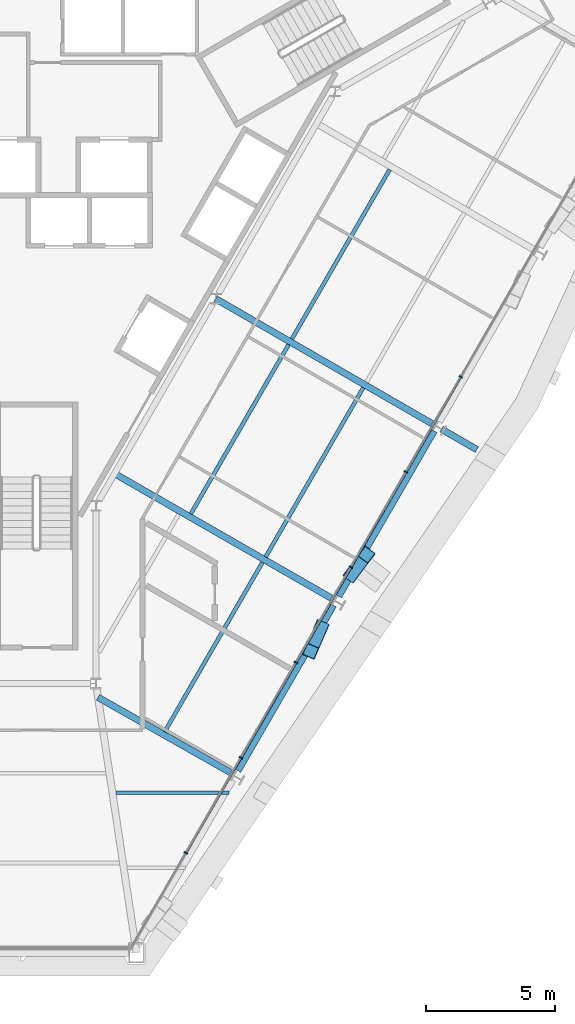
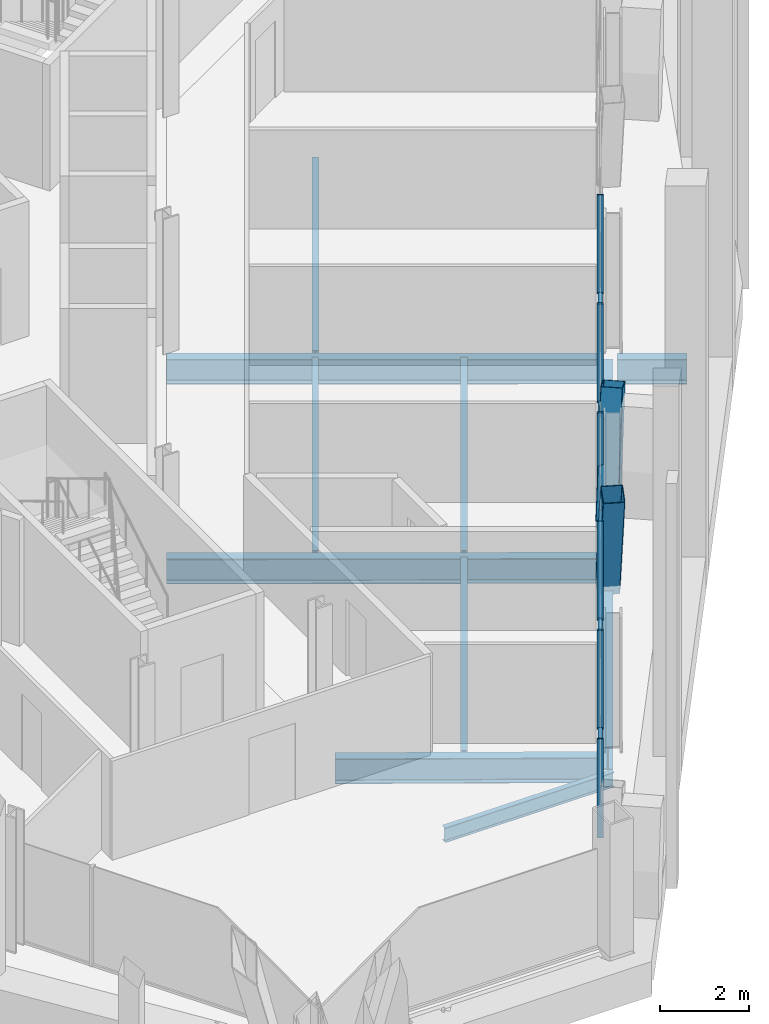
# One storey, part 6 of 17: 13 members, 11 beams, 1 element without a shape of its own.
"""IFC4 building model written with IfcOpenShell, lengths in metres."""

from ifc_helpers import new_model, si_unit, direction, frame, origin, origin_2d, place, context, subcontext, project, spatial, rectangle, hollow_rectangle, i_section, extrude, material, material_profile, profile_set, type_object, element, aggregate, save


model = new_model("IFC4")

# Units and contexts
model_context = context("Model", 3, precision=1e-05, world=origin(), true_north=direction((0.0, 1.0)))
body_context = subcontext(model_context, "Body", "Model", "MODEL_VIEW")
ifc_project = project(units=[si_unit("LENGTHUNIT", "METRE"), si_unit("AREAUNIT", "SQUARE_METRE"), si_unit("VOLUMEUNIT", "CUBIC_METRE"), si_unit("PLANEANGLEUNIT", "RADIAN"), si_unit("MASSUNIT", "GRAM", prefix="KILO")], contexts=[model_context])

# Site, building, storey
site_placement = place(None, origin())
site = spatial("IfcSite", under=ifc_project, at=site_placement, CompositionType="ELEMENT")
building_placement = place(site_placement, origin())
building = spatial("IfcBuilding", under=site, at=building_placement, Name="Verrane Prism Tower", CompositionType="ELEMENT")
storey_placement = place(building_placement, frame((0.0, 0.0, 178.39990234375)))
storey = spatial("IfcBuildingStorey", under=building, at=storey_placement, Name="L44", CompositionType="ELEMENT", Elevation=178.39990234375)

# Members
ifc_material_1 = material(Name="Steel A500 Grade C", Category="steel")
ifc_material_profile_1 = material_profile(ifc_material_1, hollow_rectangle(XDim=0.508056640625, YDim=0.508056640625, WallThickness=0.01904296875, InnerFilletRadius=0.009521484375, OuterFilletRadius=0.028564453125, at=origin_2d()), Name="HSS20x20x3/4")
ifc_profile_set_1 = profile_set([ifc_material_profile_1], Name="Steel A500 Grade C")
member_type_1 = type_object("IfcMemberType", Name="Facade brace HSS20x20x3/4", PredefinedType="BRACE", material=ifc_profile_set_1)
member_1_placement = place(storey_placement, frame((11.005126953125, -16.734130859375, -0.216552734375), z_axis=(-0.117509964597, -0.272731072395, 0.954886993508), x_axis=(0.918381033601, -0.395697203833, 0.0)))
element("IfcMember", 1, at=member_1_placement, inside=storey, type_object=member_type_1, Name="Facade brace SE1 L44", PredefinedType="BRACE", context=body_context, shape_type="SweptSolid", body=[
    extrude(hollow_rectangle(XDim=0.508056640625, YDim=0.508056640625, WallThickness=0.01904296875, InnerFilletRadius=0.009521484375, OuterFilletRadius=0.028564453125, at=origin_2d()), origin(), (0.0, 0.0, 1.0), 3.346923828125),
])
member_2_placement = place(storey_placement, frame((12.1953125, -14.67333984375, -0.216552734375), z_axis=(0.17221742243, 0.228720546151, 0.958137814294), x_axis=(-0.798863543251, 0.601512293527, 0.0)))
element("IfcMember", 2, at=member_2_placement, inside=storey, type_object=member_type_1, Name="Facade brace SE2 L44", PredefinedType="BRACE", context=body_context, shape_type="SweptSolid", body=[
    extrude(hollow_rectangle(XDim=0.508056640625, YDim=0.508056640625, WallThickness=0.01904296875, InnerFilletRadius=0.009521484375, OuterFilletRadius=0.028564453125, at=origin_2d()), origin(), (0.0, 0.0, 1.0), 3.335693359375),
])

# Beams
ifc_material_2 = material(Name="Steel A992", Category="steel")
ifc_material_profile_2 = material_profile(ifc_material_2, i_section(OverallWidth=0.140380859375, OverallDepth=0.40380859375, WebThickness=0.007080078125, FlangeThickness=0.01123046875, FilletRadius=0.01025390625, at=origin_2d()), Name="W16x31")
ifc_profile_set_2 = profile_set([ifc_material_profile_2], Name="Steel A992")
beam_type_1 = type_object("IfcBeamType", Name="Floor beam W16x31", PredefinedType="BEAM", material=ifc_profile_set_2)
beam_1_placement = place(storey_placement, frame((3.072021484375, -23.126708984375, -0.36181640625), z_axis=(1.0, 0.0, 0.0), x_axis=(0.0, 1.0, 0.0)))
element("IfcBeam", 3, at=beam_1_placement, inside=storey, type_object=beam_type_1, Name="Floor beam L44", PredefinedType="BEAM", context=body_context, shape_type="SweptSolid", body=[
    extrude(i_section(OverallWidth=0.140380859375, OverallDepth=0.40380859375, WebThickness=0.007080078125, FlangeThickness=0.01123046875, FilletRadius=0.01025390625, at=origin_2d()), origin(), (0.0, 0.0, 1.0), 4.375),
])
ifc_material_3 = material(Name="Steel A992", Category="steel")
ifc_material_profile_3 = material_profile(ifc_material_3, i_section(OverallWidth=0.15234375, OverallDepth=0.449462890625, WebThickness=0.007568359375, FlangeThickness=0.0107421875, FilletRadius=0.01025390625, at=origin_2d()), Name="W18x35")
ifc_profile_set_3 = profile_set([ifc_material_profile_3], Name="Steel A992")
beam_type_2 = type_object("IfcBeamType", Name="Floor beam W18x35", PredefinedType="BEAM", material=ifc_profile_set_3)
for number, where, z_axis, x_axis, name in (
    (4, (4.954345703125, -20.770751953125, -0.384765625), (0.500013012896, 0.866017890655, 0.0), (-0.866017890655, 0.500013012896, 0.0), "Floor beam L44"),
    (5, (8.8642578125, -14.00048828125, -0.384765625), (0.499988806058, 0.866031866513, 0.0), (-0.866031866513, 0.499988806058, 0.0), "Floor beam L44"),
):
    element("IfcBeam", number, at=place(storey_placement, frame(where, z_axis=z_axis, x_axis=x_axis)), inside=storey, type_object=beam_type_2, Name=name, PredefinedType="BEAM", context=body_context, shape_type="SweptSolid", body=[
        extrude(i_section(OverallWidth=0.15234375, OverallDepth=0.449462890625, WebThickness=0.007568359375, FlangeThickness=0.0107421875, FilletRadius=0.01025390625, at=origin_2d()), origin(), (0.0, 0.0, 1.0), 7.564208984375),
    ])
beam_2_placement = place(storey_placement, frame((5.973876953125, -12.330078125, -0.384765625), z_axis=(0.500002782129, 0.866023797515, 0.0), x_axis=(-0.866023797515, 0.500002782129, 0.0)))
element("IfcBeam", 6, at=beam_2_placement, inside=storey, type_object=beam_type_2, Name="Floor beam L44", PredefinedType="BEAM", context=body_context, shape_type="SweptSolid", body=[
    extrude(i_section(OverallWidth=0.15234375, OverallDepth=0.449462890625, WebThickness=0.007568359375, FlangeThickness=0.0107421875, FilletRadius=0.01025390625, at=origin_2d()), origin(), (0.0, 0.0, 1.0), 7.56396484375),
])
beam_3_placement = place(storey_placement, frame((9.883544921875, -5.56005859375, -0.384765625), z_axis=(0.499994291072, 0.86602869981, 0.0), x_axis=(-0.86602869981, 0.499994291072, 0.0)))
element("IfcBeam", 7, at=beam_3_placement, inside=storey, type_object=beam_type_2, Name="Floor beam L44", PredefinedType="BEAM", context=body_context, shape_type="SweptSolid", body=[
    extrude(i_section(OverallWidth=0.15234375, OverallDepth=0.449462890625, WebThickness=0.007568359375, FlangeThickness=0.0107421875, FilletRadius=0.01025390625, at=origin_2d()), origin(), (0.0, 0.0, 1.0), 7.56689453125),
])

# Curtain wall, members
ifc_material_4 = material(Name="Aluminium framed insulated glazing", Category="aluminium")
curtain_wall_type = type_object("IfcCurtainWallType", Name="Curtain wall CW-C 4200 module", PredefinedType="NOTDEFINED", material=ifc_material_4)
curtain_wall_placement = place(storey_placement, origin())
curtain_wall = element("IfcCurtainWall", 8, at=curtain_wall_placement, inside=storey, type_object=curtain_wall_type, Name="Glazed curtain wall south-east face L44", PredefinedType="NOTDEFINED")
ifc_material_5 = material(Name="Aluminium alloy 6063-T6", Category="aluminium")
ifc_material_profile_4 = material_profile(ifc_material_5, rectangle(XDim=0.139892578125, YDim=0.050048828125, at=origin_2d()), Name="Mullion 50x140 aluminium")
ifc_profile_set_4 = profile_set([ifc_material_profile_4], Name="Aluminium alloy 6063-T6")
member_type_2 = type_object("IfcMemberType", Name="Mullion 50x140 aluminium", PredefinedType="MULLION", material=ifc_profile_set_4)
member_3_placement = place(storey_placement, frame((5.779296875, -25.451904296875, 0.0), z_axis=(0.0, 0.0, 1.0), x_axis=(-0.866025734201, 0.499999427701, 0.0)))
member_3 = element("IfcMember", 9, at=member_3_placement, type_object=member_type_2, Name="CW44.6 mullion 2", PredefinedType="MULLION", context=body_context, shape_type="SweptSolid", body=[
    extrude(rectangle(XDim=0.139892578125, YDim=0.050048828125, at=origin_2d()), origin(), (0.0, 0.0, 1.0), 2.712890625),
])
member_4_placement = place(storey_placement, frame((7.907470703125, -21.76611328125, 0.0), z_axis=(0.0, 0.0, 1.0), x_axis=(-0.866025734201, 0.499999427701, 0.0)))
member_4 = element("IfcMember", 10, at=member_4_placement, type_object=member_type_2, Name="CW44.6 mullion 3", PredefinedType="MULLION", context=body_context, shape_type="SweptSolid", body=[
    extrude(rectangle(XDim=0.139892578125, YDim=0.050048828125, at=origin_2d()), origin(), (0.0, 0.0, 1.0), 2.712890625),
])
member_5_placement = place(storey_placement, frame((10.035400390625, -18.080078125, 0.0), z_axis=(0.0, 0.0, 1.0), x_axis=(-0.866025734201, 0.499999427701, 0.0)))
member_5 = element("IfcMember", 11, at=member_5_placement, type_object=member_type_2, Name="CW44.6 mullion 4", PredefinedType="MULLION", context=body_context, shape_type="SweptSolid", body=[
    extrude(rectangle(XDim=0.139892578125, YDim=0.050048828125, at=origin_2d()), origin(), (0.0, 0.0, 1.0), 2.712890625),
])
member_6_placement = place(storey_placement, frame((12.163330078125, -14.394287109375, 0.0), z_axis=(0.0, 0.0, 1.0), x_axis=(-0.866025734201, 0.499999427701, 0.0)))
member_6 = element("IfcMember", 12, at=member_6_placement, type_object=member_type_2, Name="CW44.6 mullion 5", PredefinedType="MULLION", context=body_context, shape_type="SweptSolid", body=[
    extrude(rectangle(XDim=0.139892578125, YDim=0.050048828125, at=origin_2d()), origin(), (0.0, 0.0, 1.0), 2.712890625),
])
member_7_placement = place(storey_placement, frame((14.29150390625, -10.70849609375, 0.0), z_axis=(0.0, 0.0, 1.0), x_axis=(-0.866025734201, 0.499999427701, 0.0)))
member_7 = element("IfcMember", 13, at=member_7_placement, type_object=member_type_2, Name="CW44.6 mullion 6", PredefinedType="MULLION", context=body_context, shape_type="SweptSolid", body=[
    extrude(rectangle(XDim=0.139892578125, YDim=0.050048828125, at=origin_2d()), origin(), (0.0, 0.0, 1.0), 2.712890625),
])
member_8_placement = place(storey_placement, frame((16.41943359375, -7.0224609375, 0.0), z_axis=(0.0, 0.0, 1.0), x_axis=(-0.866025734201, 0.499999427701, 0.0)))
member_8 = element("IfcMember", 14, at=member_8_placement, type_object=member_type_2, Name="CW44.6 mullion 7", PredefinedType="MULLION", context=body_context, shape_type="SweptSolid", body=[
    extrude(rectangle(XDim=0.139892578125, YDim=0.050048828125, at=origin_2d()), origin(), (0.0, 0.0, 1.0), 2.712890625),
])

# Beams
ifc_material_6 = material(Name="Steel A992", Category="steel")
ifc_material_profile_5 = material_profile(ifc_material_6, i_section(OverallWidth=0.25390625, OverallDepth=0.683349609375, WebThickness=0.012451171875, FlangeThickness=0.01904296875, FilletRadius=0.01513671875, at=origin_2d()), Name="W27x94")
ifc_profile_set_5 = profile_set([ifc_material_profile_5], Name="Steel A992")
beam_type_3 = type_object("IfcBeamType", Name="Radial girder W27x94", PredefinedType="BEAM", material=ifc_profile_set_5)
beam_4_placement = place(storey_placement, frame((7.521484375, -22.349853515625, -0.5615234375), z_axis=(-0.869728557834, 0.493530379701, 0.0), x_axis=(-0.493530379701, -0.869728557834, 0.0)))
element("IfcBeam", 15, at=beam_4_placement, inside=storey, type_object=beam_type_3, Name="Radial girder L44", PredefinedType="BEAM", context=body_context, shape_type="SweptSolid", body=[
    extrude(i_section(OverallWidth=0.25390625, OverallDepth=0.683349609375, WebThickness=0.012451171875, FlangeThickness=0.01904296875, FilletRadius=0.01513671875, at=origin_2d()), origin(), (0.0, 0.0, 1.0), 5.911376953125),
])
beam_5_placement = place(storey_placement, frame((11.42041015625, -15.598876953125, -0.5615234375), z_axis=(-0.867160191763, 0.498029318236, 0.0), x_axis=(-0.498029318236, -0.867160191763, 0.0)))
element("IfcBeam", 16, at=beam_5_placement, inside=storey, type_object=beam_type_3, Name="Radial girder L44", PredefinedType="BEAM", context=body_context, shape_type="SweptSolid", body=[
    extrude(i_section(OverallWidth=0.25390625, OverallDepth=0.683349609375, WebThickness=0.012451171875, FlangeThickness=0.01904296875, FilletRadius=0.01513671875, at=origin_2d()), origin(), (0.0, 0.0, 1.0), 9.68798828125),
])
beam_6_placement = place(storey_placement, frame((15.319091796875, -8.846435546875, -0.5615234375), z_axis=(-0.866096633964, 0.49987660541, 0.0), x_axis=(-0.49987660541, -0.866096633964, 0.0)))
element("IfcBeam", 17, at=beam_6_placement, inside=storey, type_object=beam_type_3, Name="Radial girder L44", PredefinedType="BEAM", context=body_context, shape_type="SweptSolid", body=[
    extrude(i_section(OverallWidth=0.25390625, OverallDepth=0.683349609375, WebThickness=0.012451171875, FlangeThickness=0.01904296875, FilletRadius=0.01513671875, at=origin_2d()), origin(), (0.0, 0.0, 1.0), 9.6884765625),
])
beam_7_placement = place(storey_placement, frame((15.67578125, -9.0537109375, -0.5615234375), z_axis=(0.86597962928, -0.500079275387, 0.0), x_axis=(0.500079275388, 0.86597962928, 0.0)))
element("IfcBeam", 18, at=beam_7_placement, inside=storey, type_object=beam_type_3, Name="Cantilever girder L44", PredefinedType="BEAM", context=body_context, shape_type="SweptSolid", body=[
    extrude(i_section(OverallWidth=0.25390625, OverallDepth=0.683349609375, WebThickness=0.012451171875, FlangeThickness=0.01904296875, FilletRadius=0.01513671875, at=origin_2d()), origin(), (0.0, 0.0, 1.0), 1.579345703125),
])
ifc_material_7 = material(Name="Steel A992", Category="steel")
ifc_material_profile_6 = material_profile(ifc_material_7, i_section(OverallWidth=0.23046875, OverallDepth=0.6171875, WebThickness=0.01318359375, FlangeThickness=0.022216796875, FilletRadius=0.012939453125, at=origin_2d()), Name="W24x94")
ifc_profile_set_6 = profile_set([ifc_material_profile_6], Name="Steel A992")
beam_type_4 = type_object("IfcBeamType", Name="Spandrel beam W24x94", PredefinedType="SPANDREL", material=ifc_profile_set_6)
beam_8_placement = place(storey_placement, frame((7.80419921875, -22.27685546875, -0.468505859375), z_axis=(0.500119048086, 0.865956660429, 0.0), x_axis=(-0.865956660429, 0.500119048086, 0.0)))
element("IfcBeam", 19, at=beam_8_placement, inside=storey, type_object=beam_type_4, Name="Spandrel beam L44", PredefinedType="SPANDREL", context=body_context, shape_type="SweptSolid", body=[
    extrude(i_section(OverallWidth=0.23046875, OverallDepth=0.6171875, WebThickness=0.01318359375, FlangeThickness=0.022216796875, FilletRadius=0.012939453125, at=origin_2d()), origin(), (0.0, 0.0, 1.0), 7.388916015625),
])
beam_9_placement = place(storey_placement, frame((11.70263671875, -15.526611328125, -0.468505859375), z_axis=(0.500008425378, 0.866020539336, 0.0), x_axis=(-0.866020539336, 0.500008425378, 0.0)))
element("IfcBeam", 20, at=beam_9_placement, inside=storey, type_object=beam_type_4, Name="Spandrel beam L44", PredefinedType="SPANDREL", context=body_context, shape_type="SweptSolid", body=[
    extrude(i_section(OverallWidth=0.23046875, OverallDepth=0.6171875, WebThickness=0.01318359375, FlangeThickness=0.022216796875, FilletRadius=0.012939453125, at=origin_2d()), origin(), (0.0, 0.0, 1.0), 7.389892578125),
])

# Member
ifc_material_8 = material(Name="Aluminium alloy 6063-T6", Category="aluminium")
ifc_material_profile_7 = material_profile(ifc_material_8, rectangle(XDim=0.10009765625, YDim=0.050048828125, at=origin_2d()), Name="Transom 50x100 aluminium")
ifc_profile_set_7 = profile_set([ifc_material_profile_7], Name="Aluminium alloy 6063-T6")
member_type_3 = type_object("IfcMemberType", Name="Transom 50x100 aluminium", PredefinedType="USERDEFINED", material=ifc_profile_set_7)
member_9_placement = place(storey_placement, frame((5.791748046875, -25.43017578125, 0.025146484375), z_axis=(0.499997126074, 0.86602706304, 0.0), x_axis=(-0.86602706304, 0.499997126074, 0.0)))
member_9 = element("IfcMember", 21, at=member_9_placement, type_object=member_type_3, Name="CW44.6 transom 2", ObjectType="TRANSOM", PredefinedType="USERDEFINED", context=body_context, shape_type="SweptSolid", body=[
    extrude(rectangle(XDim=0.10009765625, YDim=0.050048828125, at=origin_2d()), origin(), (0.0, 0.0, 1.0), 4.2060546875),
])

member_10_placement = place(storey_placement, frame((7.919921875, -21.744384765625, 0.025146484375), z_axis=(0.499997126074, 0.86602706304, 0.0), x_axis=(-0.86602706304, 0.499997126074, 0.0)))
member_10 = element("IfcMember", 22, at=member_10_placement, type_object=member_type_3, Name="CW44.6 transom 3", ObjectType="TRANSOM", PredefinedType="USERDEFINED", context=body_context, shape_type="SweptSolid", body=[
    extrude(rectangle(XDim=0.10009765625, YDim=0.050048828125, at=origin_2d()), origin(), (0.0, 0.0, 1.0), 4.2060546875),
])

member_11_placement = place(storey_placement, frame((10.0478515625, -18.05859375, 0.025146484375), z_axis=(0.499997126074, 0.86602706304, 0.0), x_axis=(-0.86602706304, 0.499997126074, 0.0)))
member_11 = element("IfcMember", 23, at=member_11_placement, type_object=member_type_3, Name="CW44.6 transom 4", ObjectType="TRANSOM", PredefinedType="USERDEFINED", context=body_context, shape_type="SweptSolid", body=[
    extrude(rectangle(XDim=0.10009765625, YDim=0.050048828125, at=origin_2d()), origin(), (0.0, 0.0, 1.0), 4.2060546875),
])

member_12_placement = place(storey_placement, frame((12.176025390625, -14.37255859375, 0.025146484375), z_axis=(0.499997126074, 0.86602706304, 0.0), x_axis=(-0.86602706304, 0.499997126074, 0.0)))
member_12 = element("IfcMember", 24, at=member_12_placement, type_object=member_type_3, Name="CW44.6 transom 5", ObjectType="TRANSOM", PredefinedType="USERDEFINED", context=body_context, shape_type="SweptSolid", body=[
    extrude(rectangle(XDim=0.10009765625, YDim=0.050048828125, at=origin_2d()), origin(), (0.0, 0.0, 1.0), 4.2060546875),
])

member_13_placement = place(storey_placement, frame((14.303955078125, -10.686767578125, 0.025146484375), z_axis=(0.499997126074, 0.86602706304, 0.0), x_axis=(-0.86602706304, 0.499997126074, 0.0)))
member_13 = element("IfcMember", 25, at=member_13_placement, type_object=member_type_3, Name="CW44.6 transom 6", ObjectType="TRANSOM", PredefinedType="USERDEFINED", context=body_context, shape_type="SweptSolid", body=[
    extrude(rectangle(XDim=0.10009765625, YDim=0.050048828125, at=origin_2d()), origin(), (0.0, 0.0, 1.0), 4.2060546875),
])

aggregate(curtain_wall, [member_3, member_4, member_5, member_6, member_7, member_8, member_9, member_10, member_11, member_12, member_13])

save(model, "model.ifc")
